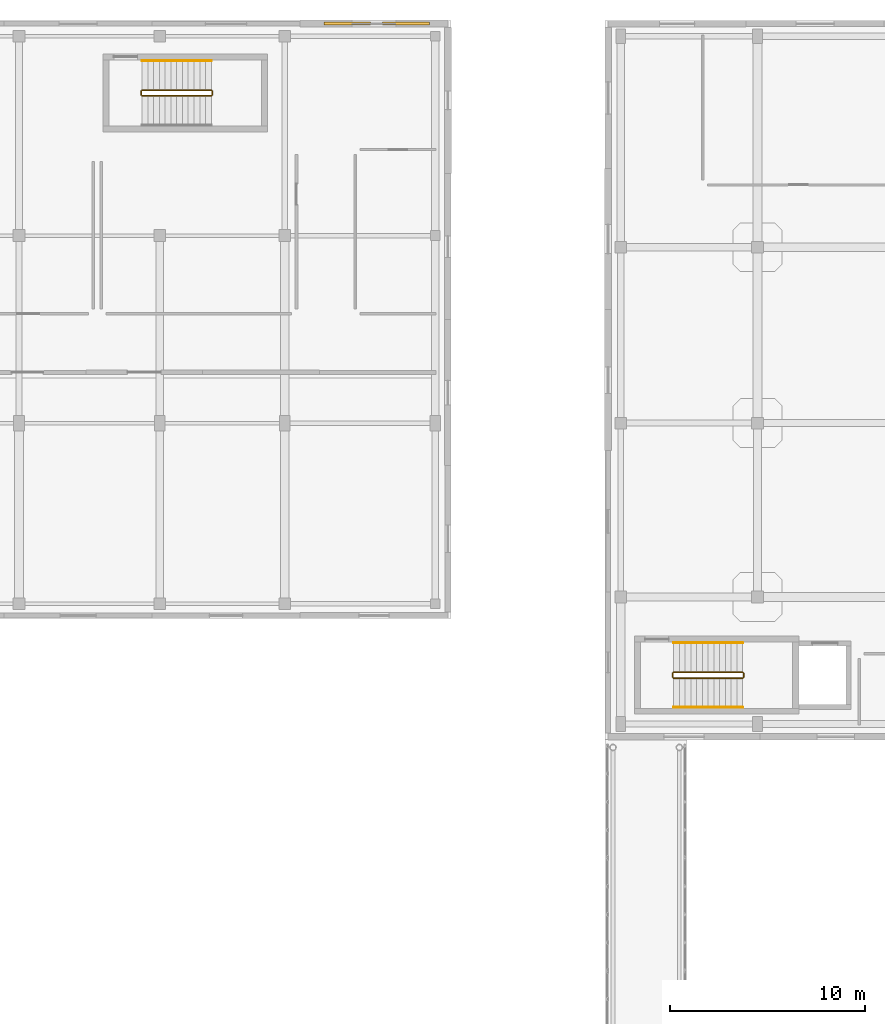
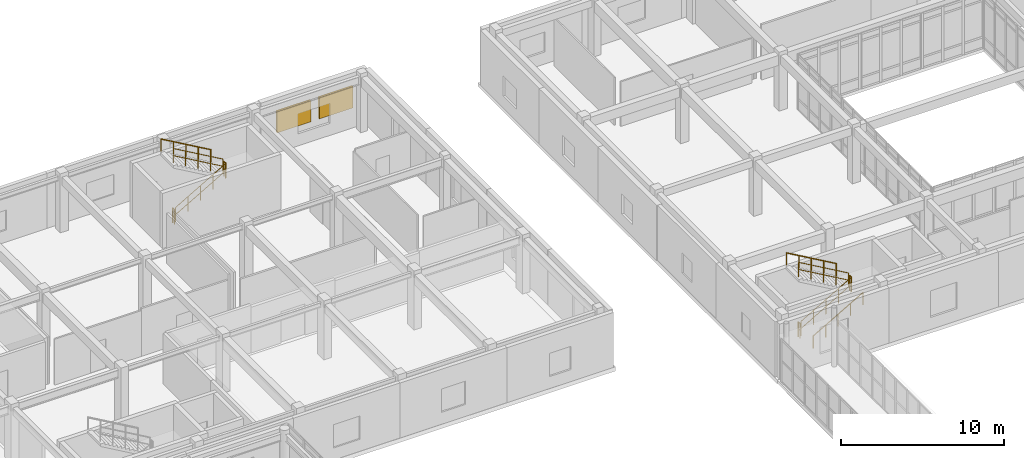
# One storey, part 140 of 142: 11 railings, 2 shading devices.
"""IFC4 building model written with IfcOpenShell, lengths in metres."""

from ifc_helpers import new_model, si_unit, direction, frame, origin, origin_2d, place, context, subcontext, project, spatial, rectangle, circle, extrude, material, layer, layer_set, type_object, element, save


model = new_model("IFC4")

# Units and contexts
model_context = context("Model", 3, precision=1e-05, world=origin(), true_north=direction((0.0, 1.0)))
body_context = subcontext(model_context, "Body", "Model", "MODEL_VIEW")
ifc_project = project(units=[si_unit("LENGTHUNIT", "METRE"), si_unit("AREAUNIT", "SQUARE_METRE"), si_unit("VOLUMEUNIT", "CUBIC_METRE"), si_unit("PLANEANGLEUNIT", "RADIAN"), si_unit("MASSUNIT", "GRAM", prefix="KILO")], contexts=[model_context])

# Site, building, storey
site_placement = place(None, origin())
site = spatial("IfcSite", under=ifc_project, at=site_placement, CompositionType="ELEMENT")
building_placement = place(site_placement, origin())
building = spatial("IfcBuilding", under=site, at=building_placement, Name="Valcora Specialist Clinic", CompositionType="ELEMENT")
storey_placement = place(building_placement, frame((0.0, 0.0, 5.10009765625)))
storey = spatial("IfcBuildingStorey", under=building, at=storey_placement, Name="L01", CompositionType="ELEMENT", Elevation=5.10009765625)

# Railings
ifc_material_1 = material(Name="Stainless Steel AISI 316", Category="steel")
railing_type_1 = type_object("IfcRailingType", Name="TY-RL-GRD112", PredefinedType="GUARDRAIL", material=ifc_material_1)
railing_1_placement = place(storey_placement, frame((37.5, 106.949951171875, 0.169921875)))
element("IfcRailing", 1, at=railing_1_placement, inside=storey, type_object=railing_type_1, Name="L01 ST-V2B stair guard 1", PredefinedType="GUARDRAIL", context=body_context, shape_type="SweptSolid", body=[
    extrude(circle(Radius=0.02392578125, at=origin_2d()), frame((0.0, 0.0, 1.09619140625), z_axis=(0.866428212428, 0.0, 0.499301665038), x_axis=(0.0, 1.0, 0.0)), (0.0, 0.0, 1.0), 4.085693359375),
    extrude(circle(Radius=0.02392578125, at=origin_2d()), frame((0.0, 0.0, 0.56005859375), z_axis=(0.866428212428, 0.0, 0.499301665038), x_axis=(0.0, 1.0, 0.0)), (0.0, 0.0, 1.0), 4.085693359375),
    extrude(circle(Radius=0.02099609375, at=origin_2d()), origin(), (0.0, 0.0, 1.0), 1.072021484375),
    extrude(circle(Radius=0.02099609375, at=origin_2d()), frame((0.885009765625, 0.0, 0.510009765625)), (0.0, 0.0, 1.0), 1.072021484375),
    extrude(circle(Radius=0.02099609375, at=origin_2d()), frame((1.77001953125, 0.0, 1.02001953125)), (0.0, 0.0, 1.0), 1.072021484375),
    extrude(circle(Radius=0.02099609375, at=origin_2d()), frame((2.655029296875, 0.0, 1.530029296875)), (0.0, 0.0, 1.0), 1.072021484375),
    extrude(circle(Radius=0.02099609375, at=origin_2d()), frame((3.5400390625, 0.0, 2.0400390625)), (0.0, 0.0, 1.0), 1.072021484375),
])
railing_2_placement = place(storey_placement, frame((41.090087890625, 107.0, 2.2099609375)))
element("IfcRailing", 2, at=railing_2_placement, inside=storey, type_object=railing_type_1, Name="L01 ST-V2B stair guard 2", PredefinedType="GUARDRAIL", context=body_context, shape_type="SweptSolid", body=[
    extrude(circle(Radius=0.02392578125, at=origin_2d()), frame((0.0, 0.0, 1.09619140625), z_axis=(0.0, 1.0, 0.0), x_axis=(-1.0, 0.0, 0.0)), (0.0, 0.0, 1.0), 0.199951171875),
    extrude(circle(Radius=0.02392578125, at=origin_2d()), frame((0.0, 0.0, 0.56005859375), z_axis=(0.0, 1.0, 0.0), x_axis=(-1.0, 0.0, 0.0)), (0.0, 0.0, 1.0), 0.199951171875),
    extrude(circle(Radius=0.02099609375, at=origin_2d()), origin(), (0.0, 0.0, 1.0), 1.072021484375),
    extrude(circle(Radius=0.02099609375, at=origin_2d()), frame((0.0, 0.199951171875, 0.0)), (0.0, 0.0, 1.0), 1.072021484375),
])
railing_3_placement = place(storey_placement, frame((41.0400390625, 107.25, 2.3798828125)))
element("IfcRailing", 3, at=railing_3_placement, inside=storey, type_object=railing_type_1, Name="L01 ST-V2B stair guard 3", PredefinedType="GUARDRAIL", context=body_context, shape_type="SweptSolid", body=[
    extrude(circle(Radius=0.02392578125, at=origin_2d()), frame((0.0, 0.0, 1.09619140625), z_axis=(-0.866428212428, 0.0, 0.499301665038), x_axis=(0.0, -1.0, 0.0)), (0.0, 0.0, 1.0), 4.085693359375),
    extrude(circle(Radius=0.02392578125, at=origin_2d()), frame((0.0, 0.0, 0.56005859375), z_axis=(-0.866428212428, 0.0, 0.499301665038), x_axis=(0.0, -1.0, 0.0)), (0.0, 0.0, 1.0), 4.085693359375),
    extrude(circle(Radius=0.02099609375, at=origin_2d()), origin(), (0.0, 0.0, 1.0), 1.072021484375),
    extrude(circle(Radius=0.02099609375, at=origin_2d()), frame((-0.885009765625, 0.0, 0.510009765625)), (0.0, 0.0, 1.0), 1.072021484375),
    extrude(circle(Radius=0.02099609375, at=origin_2d()), frame((-1.77001953125, 0.0, 1.02001953125)), (0.0, 0.0, 1.0), 1.072021484375),
    extrude(circle(Radius=0.02099609375, at=origin_2d()), frame((-2.655029296875, 0.0, 1.530029296875)), (0.0, 0.0, 1.0), 1.072021484375),
    extrude(circle(Radius=0.02099609375, at=origin_2d()), frame((-3.5400390625, 0.0, 2.0400390625)), (0.0, 0.0, 1.0), 1.072021484375),
])
railing_4_placement = place(storey_placement, frame((37.449951171875, 107.0, 0.0)))
element("IfcRailing", 4, at=railing_4_placement, inside=storey, type_object=railing_type_1, Name="L01 ST-V2B stair guard 4", PredefinedType="GUARDRAIL", context=body_context, shape_type="SweptSolid", body=[
    extrude(circle(Radius=0.02392578125, at=origin_2d()), frame((0.0, 0.0, 1.09619140625), z_axis=(0.0, 1.0, 0.0), x_axis=(-1.0, 0.0, 0.0)), (0.0, 0.0, 1.0), 0.199951171875),
    extrude(circle(Radius=0.02392578125, at=origin_2d()), frame((0.0, 0.0, 0.56005859375), z_axis=(0.0, 1.0, 0.0), x_axis=(-1.0, 0.0, 0.0)), (0.0, 0.0, 1.0), 0.199951171875),
    extrude(circle(Radius=0.02099609375, at=origin_2d()), origin(), (0.0, 0.0, 1.0), 1.072021484375),
    extrude(circle(Radius=0.02099609375, at=origin_2d()), frame((0.0, 0.199951171875, 0.0)), (0.0, 0.0, 1.0), 1.072021484375),
])
railing_5_placement = place(storey_placement, frame((64.699951171875, 77.14990234375, 0.169921875)))
element("IfcRailing", 5, at=railing_5_placement, inside=storey, type_object=railing_type_1, Name="L01 ST-V4A stair guard 1", PredefinedType="GUARDRAIL", context=body_context, shape_type="SweptSolid", body=[
    extrude(circle(Radius=0.02392578125, at=origin_2d()), frame((0.0, 0.0, 1.09619140625), z_axis=(0.866428212428, 0.0, 0.499301665038), x_axis=(0.0, 1.0, 0.0)), (0.0, 0.0, 1.0), 4.085693359375),
    extrude(circle(Radius=0.02392578125, at=origin_2d()), frame((0.0, 0.0, 0.56005859375), z_axis=(0.866428212428, 0.0, 0.499301665038), x_axis=(0.0, 1.0, 0.0)), (0.0, 0.0, 1.0), 4.085693359375),
    extrude(circle(Radius=0.02099609375, at=origin_2d()), origin(), (0.0, 0.0, 1.0), 1.072021484375),
    extrude(circle(Radius=0.02099609375, at=origin_2d()), frame((0.885009765625, 0.0, 0.510009765625)), (0.0, 0.0, 1.0), 1.072021484375),
    extrude(circle(Radius=0.02099609375, at=origin_2d()), frame((1.77001953125, 0.0, 1.02001953125)), (0.0, 0.0, 1.0), 1.072021484375),
    extrude(circle(Radius=0.02099609375, at=origin_2d()), frame((2.655029296875, 0.0, 1.530029296875)), (0.0, 0.0, 1.0), 1.072021484375),
    extrude(circle(Radius=0.02099609375, at=origin_2d()), frame((3.5400390625, 0.0, 2.0400390625)), (0.0, 0.0, 1.0), 1.072021484375),
])
railing_6_placement = place(storey_placement, frame((68.2900390625, 77.199951171875, 2.2099609375)))
element("IfcRailing", 6, at=railing_6_placement, inside=storey, type_object=railing_type_1, Name="L01 ST-V4A stair guard 2", PredefinedType="GUARDRAIL", context=body_context, shape_type="SweptSolid", body=[
    extrude(circle(Radius=0.02392578125, at=origin_2d()), frame((0.0, 0.0, 1.09619140625), z_axis=(0.0, 1.0, 0.0), x_axis=(-1.0, 0.0, 0.0)), (0.0, 0.0, 1.0), 0.199951171875),
    extrude(circle(Radius=0.02392578125, at=origin_2d()), frame((0.0, 0.0, 0.56005859375), z_axis=(0.0, 1.0, 0.0), x_axis=(-1.0, 0.0, 0.0)), (0.0, 0.0, 1.0), 0.199951171875),
    extrude(circle(Radius=0.02099609375, at=origin_2d()), origin(), (0.0, 0.0, 1.0), 1.072021484375),
    extrude(circle(Radius=0.02099609375, at=origin_2d()), frame((0.0, 0.199951171875, 0.0)), (0.0, 0.0, 1.0), 1.072021484375),
])
railing_7_placement = place(storey_placement, frame((68.239990234375, 77.449951171875, 2.3798828125)))
element("IfcRailing", 7, at=railing_7_placement, inside=storey, type_object=railing_type_1, Name="L01 ST-V4A stair guard 3", PredefinedType="GUARDRAIL", context=body_context, shape_type="SweptSolid", body=[
    extrude(circle(Radius=0.02392578125, at=origin_2d()), frame((0.0, 0.0, 1.09619140625), z_axis=(-0.866428212428, 0.0, 0.499301665038), x_axis=(0.0, -1.0, 0.0)), (0.0, 0.0, 1.0), 4.085693359375),
    extrude(circle(Radius=0.02392578125, at=origin_2d()), frame((0.0, 0.0, 0.56005859375), z_axis=(-0.866428212428, 0.0, 0.499301665038), x_axis=(0.0, -1.0, 0.0)), (0.0, 0.0, 1.0), 4.085693359375),
    extrude(circle(Radius=0.02099609375, at=origin_2d()), origin(), (0.0, 0.0, 1.0), 1.072021484375),
    extrude(circle(Radius=0.02099609375, at=origin_2d()), frame((-0.885009765625, 0.0, 0.510009765625)), (0.0, 0.0, 1.0), 1.072021484375),
    extrude(circle(Radius=0.02099609375, at=origin_2d()), frame((-1.77001953125, 0.0, 1.02001953125)), (0.0, 0.0, 1.0), 1.072021484375),
    extrude(circle(Radius=0.02099609375, at=origin_2d()), frame((-2.655029296875, 0.0, 1.530029296875)), (0.0, 0.0, 1.0), 1.072021484375),
    extrude(circle(Radius=0.02099609375, at=origin_2d()), frame((-3.5400390625, 0.0, 2.0400390625)), (0.0, 0.0, 1.0), 1.072021484375),
])
railing_8_placement = place(storey_placement, frame((64.64990234375, 77.199951171875, 0.0)))
element("IfcRailing", 8, at=railing_8_placement, inside=storey, type_object=railing_type_1, Name="L01 ST-V4A stair guard 4", PredefinedType="GUARDRAIL", context=body_context, shape_type="SweptSolid", body=[
    extrude(circle(Radius=0.02392578125, at=origin_2d()), frame((0.0, 0.0, 1.09619140625), z_axis=(0.0, 1.0, 0.0), x_axis=(-1.0, 0.0, 0.0)), (0.0, 0.0, 1.0), 0.199951171875),
    extrude(circle(Radius=0.02392578125, at=origin_2d()), frame((0.0, 0.0, 0.56005859375), z_axis=(0.0, 1.0, 0.0), x_axis=(-1.0, 0.0, 0.0)), (0.0, 0.0, 1.0), 0.199951171875),
    extrude(circle(Radius=0.02099609375, at=origin_2d()), origin(), (0.0, 0.0, 1.0), 1.072021484375),
    extrude(circle(Radius=0.02099609375, at=origin_2d()), frame((0.0, 0.199951171875, 0.0)), (0.0, 0.0, 1.0), 1.072021484375),
])
railing_type_2 = type_object("IfcRailingType", Name="TY-RL-HND092", PredefinedType="HANDRAIL", material=ifc_material_1)
railing_9_placement = place(storey_placement, frame((41.0400390625, 108.75, 2.3798828125)))
element("IfcRailing", 9, at=railing_9_placement, inside=storey, type_object=railing_type_2, Name="L01 ST-V2B stair handrail 2", PredefinedType="HANDRAIL", context=body_context, shape_type="SweptSolid", body=[
    extrude(circle(Radius=0.02392578125, at=origin_2d()), frame((0.0, 0.0, 0.89599609375), z_axis=(-0.866428212428, 0.0, 0.499301665038), x_axis=(0.0, -1.0, 0.0)), (0.0, 0.0, 1.0), 4.085693359375),
    extrude(circle(Radius=0.02099609375, at=origin_2d()), origin(), (0.0, 0.0, 1.0), 0.871826171875),
    extrude(circle(Radius=0.02099609375, at=origin_2d()), frame((-0.885009765625, 0.0, 0.510009765625)), (0.0, 0.0, 1.0), 0.871826171875),
    extrude(circle(Radius=0.02099609375, at=origin_2d()), frame((-1.77001953125, 0.0, 1.02001953125)), (0.0, 0.0, 1.0), 0.871826171875),
    extrude(circle(Radius=0.02099609375, at=origin_2d()), frame((-2.655029296875, 0.0, 1.530029296875)), (0.0, 0.0, 1.0), 0.871826171875),
    extrude(circle(Radius=0.02099609375, at=origin_2d()), frame((-3.5400390625, 0.0, 2.0400390625)), (0.0, 0.0, 1.0), 0.871826171875),
])
railing_10_placement = place(storey_placement, frame((64.699951171875, 75.64990234375, 0.169921875)))
element("IfcRailing", 10, at=railing_10_placement, inside=storey, type_object=railing_type_2, Name="L01 ST-V4A stair handrail 1", PredefinedType="HANDRAIL", context=body_context, shape_type="SweptSolid", body=[
    extrude(circle(Radius=0.02392578125, at=origin_2d()), frame((0.0, 0.0, 0.89599609375), z_axis=(0.866428212428, 0.0, 0.499301665038), x_axis=(0.0, 1.0, 0.0)), (0.0, 0.0, 1.0), 4.085693359375),
    extrude(circle(Radius=0.02099609375, at=origin_2d()), origin(), (0.0, 0.0, 1.0), 0.871826171875),
    extrude(circle(Radius=0.02099609375, at=origin_2d()), frame((0.885009765625, 0.0, 0.510009765625)), (0.0, 0.0, 1.0), 0.871826171875),
    extrude(circle(Radius=0.02099609375, at=origin_2d()), frame((1.77001953125, 0.0, 1.02001953125)), (0.0, 0.0, 1.0), 0.871826171875),
    extrude(circle(Radius=0.02099609375, at=origin_2d()), frame((2.655029296875, 0.0, 1.530029296875)), (0.0, 0.0, 1.0), 0.871826171875),
    extrude(circle(Radius=0.02099609375, at=origin_2d()), frame((3.5400390625, 0.0, 2.0400390625)), (0.0, 0.0, 1.0), 0.871826171875),
])
railing_11_placement = place(storey_placement, frame((68.239990234375, 78.949951171875, 2.3798828125)))
element("IfcRailing", 11, at=railing_11_placement, inside=storey, type_object=railing_type_2, Name="L01 ST-V4A stair handrail 2", PredefinedType="HANDRAIL", context=body_context, shape_type="SweptSolid", body=[
    extrude(circle(Radius=0.02392578125, at=origin_2d()), frame((0.0, 0.0, 0.89599609375), z_axis=(-0.866428212428, 0.0, 0.499301665038), x_axis=(0.0, -1.0, 0.0)), (0.0, 0.0, 1.0), 4.085693359375),
    extrude(circle(Radius=0.02099609375, at=origin_2d()), origin(), (0.0, 0.0, 1.0), 0.871826171875),
    extrude(circle(Radius=0.02099609375, at=origin_2d()), frame((-0.885009765625, 0.0, 0.510009765625)), (0.0, 0.0, 1.0), 0.871826171875),
    extrude(circle(Radius=0.02099609375, at=origin_2d()), frame((-1.77001953125, 0.0, 1.02001953125)), (0.0, 0.0, 1.0), 0.871826171875),
    extrude(circle(Radius=0.02099609375, at=origin_2d()), frame((-2.655029296875, 0.0, 1.530029296875)), (0.0, 0.0, 1.0), 0.871826171875),
    extrude(circle(Radius=0.02099609375, at=origin_2d()), frame((-3.5400390625, 0.0, 2.0400390625)), (0.0, 0.0, 1.0), 0.871826171875),
])

# Shading devices
ifc_material_2 = material(Name="Anodized Bronze Aluminium 6063-T6", Category="aluminium")
ifc_layer = layer(ifc_material_2, 0.14990234375)
ifc_layer_set = layer_set([ifc_layer], Name="Anodized Bronze Aluminium 6063-T6")
shading_device_type = type_object("IfcShadingDeviceType", Name="TY-SD-LVR240", PredefinedType="JALOUSIE", material=ifc_layer_set)
for number, where, z_axis, x_axis, name in (
    (12, (48.0, 110.64990234375, 1.39990234375), (0.0, 0.0, 1.0), (1.0, 0.0, 0.0), "Acoustic plant louvre 42"),
    (13, (51.0, 110.64990234375, 1.39990234375), (0.0, 0.0, 1.0), (1.0, 0.0, 0.0), "Acoustic plant louvre 43"),
):
    element("IfcShadingDevice", number, at=place(storey_placement, frame(where, z_axis=z_axis, x_axis=x_axis)), inside=storey, type_object=shading_device_type, Name=name, PredefinedType="JALOUSIE", context=body_context, shape_type="SweptSolid", body=[
        extrude(rectangle(XDim=2.39990234375, YDim=0.14990234375, at=origin_2d()), origin(), (0.0, 0.0, 1.0), 1.60009765625),
    ])

save(model, "model.ifc")
